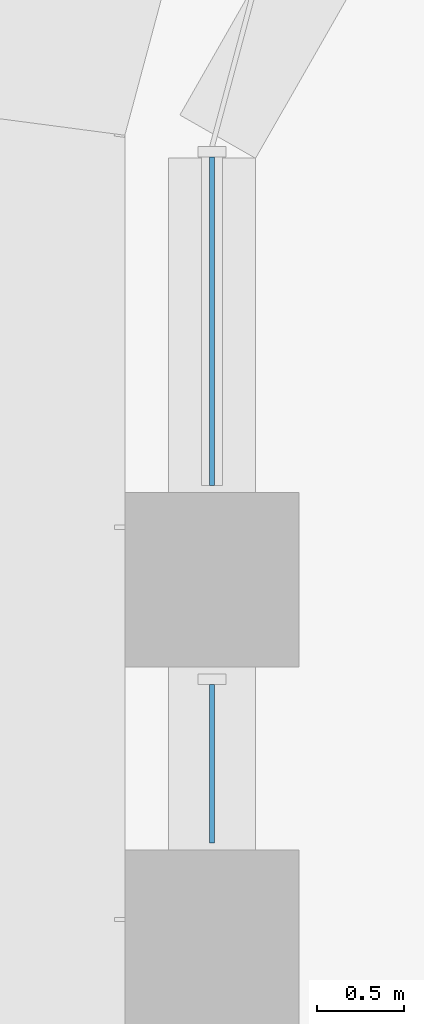
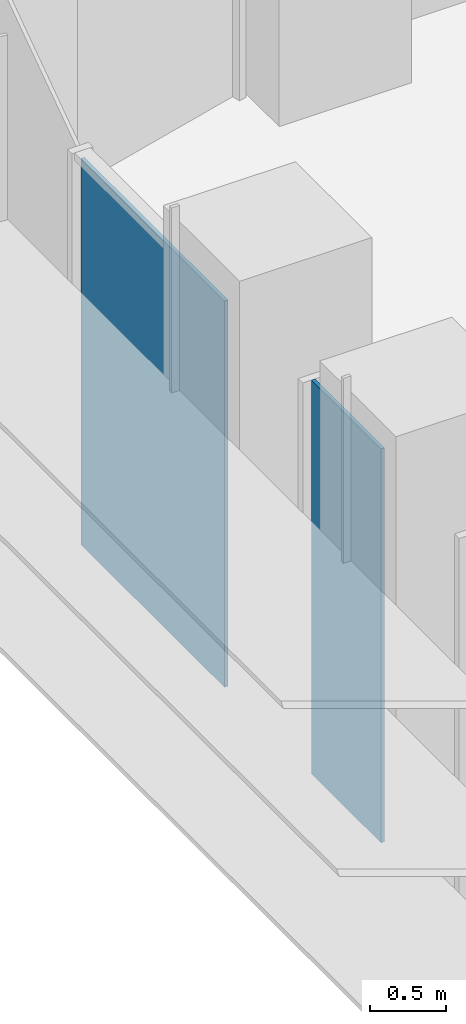
# One storey, part 14 of 23: 2 plates, 1 element without a shape of its own.
"""IFC4 building model written with IfcOpenShell, lengths in metres."""

import ifcopenshell
import ifcopenshell.guid

model = None  # the IFC model being written
_history = None  # IfcOwnerHistory: only IFC2X3 demands one
_inside = {}  # id of a spatial element -> (the spatial element, [elements in it])
_under = {}  # id of a project, library or spatial element -> (it, [spatial elements below it])
_declared = {}  # id of a project -> (the project, [libraries it declares])
_typed = {}  # id of a type object -> (the type object, [elements of that type])
_made_of = {}  # id of a material, layer set ... -> (it, [elements and type objects made of it])


def new_model(schema):
    """Start an empty IFC model of exactly this schema.

    Asked for "IFC4X3", IfcOpenShell would pick the latest addendum, in which some entities
    have other attributes; the version numbers below select the first issue.
    IFC2X3 requires an IfcOwnerHistory on every rooted entity: one is made here for all.
    """
    global model, _history
    if schema == "IFC4X3":
        model = ifcopenshell.file(schema_version=(4, 3, 0, 0))
    else:
        model = ifcopenshell.file(schema=schema)
    _inside.clear()
    _under.clear()
    _declared.clear()
    _typed.clear()
    _made_of.clear()
    _history = None
    if model.schema == "IFC2X3":
        org = make("IfcOrganization", Name="unknown")
        user = make(
            "IfcPersonAndOrganization",
            ThePerson=make("IfcPerson", FamilyName="unknown"),
            TheOrganization=org,
        )
        app = make(
            "IfcApplication",
            ApplicationDeveloper=org,
            Version="unknown",
            ApplicationFullName="unknown",
            ApplicationIdentifier="unknown",
        )
        _history = make(
            "IfcOwnerHistory",
            OwningUser=user,
            OwningApplication=app,
            ChangeAction="ADDED",
            CreationDate=0,
        )
    return model


def make(cls, **values):
    """One entity of the class cls with the attributes given. An attribute that is None is left unset."""
    return model.create_entity(
        cls, **{name: value for name, value in values.items() if value is not None}
    )


def rooted(cls, **values):
    """An entity with a GlobalId (a new one), such as an element, a storey or a relation."""
    return make(cls, GlobalId=ifcopenshell.guid.new(), OwnerHistory=_history, **values)


def si_unit(unit_type, name, prefix=None):
    """IfcSIUnit, for example si_unit("LENGTHUNIT", "METRE", prefix="MILLI")."""
    return make("IfcSIUnit", UnitType=unit_type, Prefix=prefix, Name=name)


def assignment(units):
    """IfcUnitAssignment: the units of a project."""
    return None if units is None else make("IfcUnitAssignment", Units=units)


def point(xyz):
    """IfcCartesianPoint."""
    return None if xyz is None else make("IfcCartesianPoint", Coordinates=xyz)


def direction(xyz):
    """IfcDirection."""
    return None if xyz is None else make("IfcDirection", DirectionRatios=xyz)


def frame(location, z_axis=None, x_axis=None):
    """IfcAxis2Placement3D, a coordinate frame: its origin and axes. An axis left out is left unset."""
    return make(
        "IfcAxis2Placement3D",
        Location=point(location),
        Axis=direction(z_axis),
        RefDirection=direction(x_axis),
    )


def origin():
    """The frame at (0, 0, 0) with its axes left unset."""
    return frame((0.0, 0.0, 0.0))


def place(relative_to, where):
    """IfcLocalPlacement: puts the frame where relative to a parent placement (None: the world)."""
    return make(
        "IfcLocalPlacement", PlacementRelTo=relative_to, RelativePlacement=where
    )


def context(
    kind, dimensions, precision=None, world=None, true_north=None, identifier=None
):
    """IfcGeometricRepresentationContext, for example the 3D "Model" context."""
    return make(
        "IfcGeometricRepresentationContext",
        ContextIdentifier=identifier,
        ContextType=kind,
        CoordinateSpaceDimension=dimensions,
        Precision=precision,
        WorldCoordinateSystem=world,
        TrueNorth=true_north,
    )


def subcontext(parent, identifier, kind, view, scale=None):
    """IfcGeometricRepresentationSubContext, for example "Body" below "Model"."""
    return make(
        "IfcGeometricRepresentationSubContext",
        ContextIdentifier=identifier,
        ContextType=kind,
        ParentContext=parent,
        TargetScale=scale,
        TargetView=view,
    )


def project(units=None, contexts=None):
    """IfcProject with its units and contexts."""
    return rooted(
        "IfcProject",
        Name="project",
        RepresentationContexts=contexts,
        UnitsInContext=assignment(units),
    )


def spatial(cls, under=None, at=None, **own):
    """A site, building, storey or space (cls), placed at a placement, below another one or the project."""
    s = rooted(cls, ObjectPlacement=at, **own)
    if under is not None:
        _under.setdefault(under.id(), (under, []))[1].append(s)
    return s


def polyline(points):
    """IfcPolyline through the points."""
    return make("IfcPolyline", Points=[point(p) for p in points])


def outline(outer, holes=None, kind="AREA"):
    """IfcArbitraryClosedProfileDef: a profile drawn as a closed curve; with holes, ...WithVoids."""
    if holes is None:
        return make("IfcArbitraryClosedProfileDef", ProfileType=kind, OuterCurve=outer)
    return make(
        "IfcArbitraryProfileDefWithVoids",
        ProfileType=kind,
        OuterCurve=outer,
        InnerCurves=holes,
    )


def extrude(swept, where, along, depth):
    """IfcExtrudedAreaSolid: the profile swept, set in the frame where, extruded along a direction by depth."""
    return make(
        "IfcExtrudedAreaSolid",
        SweptArea=swept,
        Position=where,
        ExtrudedDirection=direction(along),
        Depth=depth,
    )


def shape(context_of_items, identifier, shape_type, items):
    """IfcShapeRepresentation: the items that make up one representation, for example the "Body"."""
    return make(
        "IfcShapeRepresentation",
        ContextOfItems=context_of_items,
        RepresentationIdentifier=identifier,
        RepresentationType=shape_type,
        Items=items,
    )


def source(mapping_origin, context_of_items, identifier, shape_type, items):
    """IfcRepresentationMap: a shape defined once, which mapped items show again and again."""
    return make(
        "IfcRepresentationMap",
        MappingOrigin=mapping_origin,
        MappedRepresentation=shape(context_of_items, identifier, shape_type, items),
    )


def transform(
    local_origin,
    x_axis=None,
    y_axis=None,
    z_axis=None,
    scale=None,
    scale2=None,
    scale3=None,
    uniform=True,
):
    """IfcCartesianTransformationOperator3D, or its non-uniform kind. x_axis, y_axis, z_axis: its Axis1, 2, 3."""
    if uniform:
        return make(
            "IfcCartesianTransformationOperator3D",
            Axis1=direction(x_axis),
            Axis2=direction(y_axis),
            LocalOrigin=point(local_origin),
            Scale=scale,
            Axis3=direction(z_axis),
        )
    return make(
        "IfcCartesianTransformationOperator3DnonUniform",
        Axis1=direction(x_axis),
        Axis2=direction(y_axis),
        LocalOrigin=point(local_origin),
        Scale=scale,
        Axis3=direction(z_axis),
        Scale2=scale2,
        Scale3=scale3,
    )


def mapped(mapping_source, mapping_target):
    """IfcMappedItem: shows the shape of a source again, moved by a transform."""
    return make(
        "IfcMappedItem", MappingSource=mapping_source, MappingTarget=mapping_target
    )


def material(Name=None, Category=None):
    """IfcMaterial."""
    return make("IfcMaterial", Name=Name, Category=Category)


def layer(
    of_material, thickness, ventilated=None, Name=None, Category=None, Priority=None
):
    """IfcMaterialLayer: one layer of a wall or slab, of a material (None: an air gap)."""
    return make(
        "IfcMaterialLayer",
        Material=of_material,
        LayerThickness=thickness,
        IsVentilated=ventilated,
        Name=Name,
        Category=Category,
        Priority=Priority,
    )


def layer_set(layers, Name=None):
    """IfcMaterialLayerSet."""
    return make("IfcMaterialLayerSet", MaterialLayers=layers, LayerSetName=Name)


def made_of(thing, what):
    """Note that an element or type object is made of a material, layer set ...; save() writes the relation."""
    if what is not None:
        _made_of.setdefault(what.id(), (what, []))[1].append(thing)
    return thing


def type_object(cls, material=None, **own):
    """A type object (cls), such as IfcWallType, which elements share."""
    return made_of(rooted(cls, **own), material)


def element(
    cls,
    number,
    at=None,
    inside=None,
    cuts=None,
    type_object=None,
    material=None,
    context=None,
    identifier="Body",
    shape_type=None,
    held_by="IfcProductDefinitionShape",
    body=None,
    shapes=None,
    **own,
):
    """One element of the class cls, such as IfcWall. Its Tag is "e" and its number.

    at: its placement. inside: the storey or other place that contains it. cuts: it is an
    opening in that element (IfcRelVoidsElement). A single representation is given by context,
    identifier, shape_type and body (its items); several are given by shapes. held_by: the class
    of the entity that holds the representations. save() writes the other relations.
    """
    e = rooted(cls, Tag="e%d" % number, ObjectPlacement=at, **own)
    if body is not None:
        shapes = [shape(context, identifier, shape_type, body)]
    if shapes is not None:
        e.Representation = make(held_by, Representations=shapes)
    if inside is not None:
        _inside.setdefault(inside.id(), (inside, []))[1].append(e)
    if cuts is not None:
        rooted(
            "IfcRelVoidsElement", RelatingBuildingElement=cuts, RelatedOpeningElement=e
        )
    if type_object is not None:
        _typed.setdefault(type_object.id(), (type_object, []))[1].append(e)
    return made_of(e, material)


def aggregate(whole, parts):
    """IfcRelAggregates: a whole, such as a stair, and the parts it consists of."""
    return rooted("IfcRelAggregates", RelatingObject=whole, RelatedObjects=parts)


def save(model, path):
    """Write the relations noted so far, then the file.

    IfcRelAggregates (storeys below a building ...), IfcRelContainedInSpatialStructure (elements
    in a storey), IfcRelDefinesByType, IfcRelAssociatesMaterial and IfcRelDeclares: one each for
    every whole, place, type object, material and project.
    """
    for whole, parts in _under.values():
        aggregate(whole, parts)
    for where, things in _inside.values():
        rooted(
            "IfcRelContainedInSpatialStructure",
            RelatedElements=things,
            RelatingStructure=where,
        )
    for kind, things in _typed.values():
        rooted("IfcRelDefinesByType", RelatedObjects=things, RelatingType=kind)
    for what, things in _made_of.values():
        rooted("IfcRelAssociatesMaterial", RelatedObjects=things, RelatingMaterial=what)
    for by, libraries in _declared.values():
        rooted("IfcRelDeclares", RelatingContext=by, RelatedDefinitions=libraries)
    model.write(path)


model = new_model("IFC4")

# Units and contexts
model_context = context("Model", 3, precision=1e-05, world=origin(), true_north=direction((0.0, 1.0)))
body_context = subcontext(model_context, "Body", "Model", "MODEL_VIEW")
ifc_project = project(units=[si_unit("LENGTHUNIT", "METRE"), si_unit("AREAUNIT", "SQUARE_METRE"), si_unit("VOLUMEUNIT", "CUBIC_METRE"), si_unit("PLANEANGLEUNIT", "RADIAN"), si_unit("MASSUNIT", "GRAM", prefix="KILO")], contexts=[model_context])

# Site, building, storey
site_placement = place(None, origin())
site = spatial("IfcSite", under=ifc_project, at=site_placement, CompositionType="ELEMENT")
building_placement = place(site_placement, origin())
building = spatial("IfcBuilding", under=site, at=building_placement, Name="Zarbagh Exchange Tower", CompositionType="ELEMENT")
storey_placement = place(building_placement, frame((0.0, 0.0, 73.199951171875)))
storey = spatial("IfcBuildingStorey", under=building, at=storey_placement, Name="L16", CompositionType="ELEMENT", Elevation=73.199951171875)

# Curtain wall, plates
ifc_material_1 = material(Name="Anodised aluminium frame and glazing", Category="aluminium")
curtain_wall_type = type_object("IfcCurtainWallType", Name="CWA Ribbon glazing, lower zones", PredefinedType="NOTDEFINED", material=ifc_material_1)
curtain_wall_placement = place(storey_placement, origin())
curtain_wall = element("IfcCurtainWall", 1, at=curtain_wall_placement, inside=storey, type_object=curtain_wall_type, Name="CWA28 curtain wall", PredefinedType="NOTDEFINED")
ifc_material_2 = material(Name="Low-e double glazed unit, 6+12+6 mm")
ifc_layer = layer(ifc_material_2, 0.028076171875)
ifc_layer_set = layer_set([ifc_layer], Name="PAA Glazing panel, Low-e double glazed unit, 6+12+6 mm")
plate_type = type_object("IfcPlateType", Name="PAA Glazing panel, Low-e double glazed unit, 6+12+6 mm", PredefinedType="CURTAIN_PANEL", material=ifc_layer_set)
shared_shape_1 = source(origin(), body_context, "Body", "SweptSolid", [
    extrude(outline(polyline([(0.0, -0.013916015625), (0.909912109375, -0.013916015625), (0.909912109375, 0.013916015625), (0.0, 0.013916015625), (0.0, -0.013916015625)])), origin(), (0.0, 0.0, 1.0), 3.14990234375),
])
placement = place(storey_placement, origin())
plate_1 = element("IfcPlate", 2, at=placement, type_object=plate_type, Name="CWA28 glazing panel 2.1", PredefinedType="CURTAIN_PANEL", context=body_context, shape_type="MappedRepresentation", body=[
    mapped(shared_shape_1, transform((-6.25, 26.099853515625, 0.0), x_axis=(0.0, -1.0, 0.0), y_axis=(1.0, 0.0, 0.0), z_axis=(0.0, 0.0, 1.0))),
])
shared_shape_2 = source(origin(), body_context, "Body", "SweptSolid", [
    extrude(outline(polyline([(0.0, -0.013916015625), (1.88427734375, -0.013916015625), (1.88427734375, 0.013916015625), (0.0, 0.013916015625), (0.0, -0.013916015625)])), origin(), (0.0, 0.0, 1.0), 3.090087890625),
])
plate_2 = element("IfcPlate", 3, at=placement, type_object=plate_type, Name="CWA28 glazing panel 1.1", PredefinedType="CURTAIN_PANEL", context=body_context, shape_type="MappedRepresentation", body=[
    mapped(shared_shape_2, transform((-6.25, 29.124267578125, 0.0), x_axis=(0.0, -1.0, 0.0), y_axis=(1.0, 0.0, 0.0), z_axis=(0.0, 0.0, 1.0))),
])
aggregate(curtain_wall, [plate_2, plate_1])

save(model, "model.ifc")
